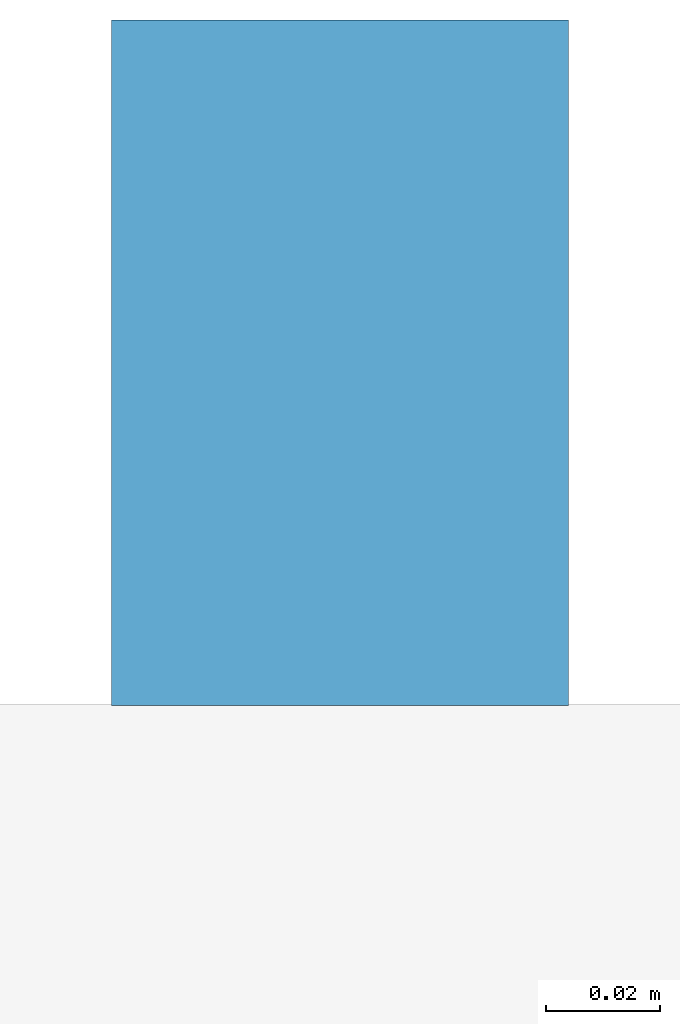
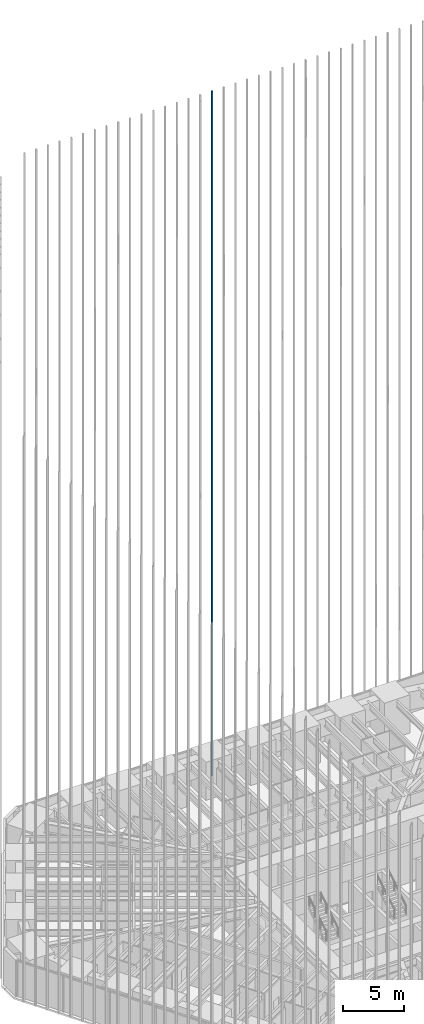
# One storey, part 188 of 256: 1 member, 1 element without a shape of its own.
"""IFC4 building model written with IfcOpenShell, lengths in metres."""

from ifc_helpers import new_model, si_unit, direction, frame, origin, origin_2d, place, context, subcontext, project, spatial, rectangle, extrude, material, material_profile, profile_set, type_object, element, aggregate, save


model = new_model("IFC4")

# Units and contexts
model_context = context("Model", 3, precision=1e-05, world=origin(), true_north=direction((0.0, 1.0)))
body_context = subcontext(model_context, "Body", "Model", "MODEL_VIEW")
ifc_project = project(units=[si_unit("LENGTHUNIT", "METRE"), si_unit("AREAUNIT", "SQUARE_METRE"), si_unit("VOLUMEUNIT", "CUBIC_METRE"), si_unit("PLANEANGLEUNIT", "RADIAN"), si_unit("MASSUNIT", "GRAM", prefix="KILO")], contexts=[model_context])

# Site, building, storey
site_placement = place(None, origin())
site = spatial("IfcSite", under=ifc_project, at=site_placement, CompositionType="ELEMENT")
building_placement = place(site_placement, origin())
building = spatial("IfcBuilding", under=site, at=building_placement, Name="Sandreach Pilgrim Tower", CompositionType="ELEMENT")
storey_placement = place(building_placement, frame((0.0, 0.0, 23.0)))
storey = spatial("IfcBuildingStorey", under=building, at=storey_placement, Name="L04", CompositionType="ELEMENT", Elevation=23.0)

# Curtain wall, member
ifc_material_1 = material(Name="Aluminium framed curtain wall", Category="aluminium")
curtain_wall_type = type_object("IfcCurtainWallType", Name="Hostel tower curtain wall", PredefinedType="NOTDEFINED", material=ifc_material_1)
curtain_wall_placement = place(storey_placement, origin())
curtain_wall = element("IfcCurtainWall", 1, at=curtain_wall_placement, inside=storey, type_object=curtain_wall_type, Name="CW-1 L04 N", PredefinedType="NOTDEFINED")
ifc_material_2 = material(Name="Extruded terracotta on aluminium core", Category="masonry")
ifc_material_profile = material_profile(ifc_material_2, rectangle(XDim=0.080078125, YDim=0.1201171875, at=origin_2d()), Name="TBN 80X120")
ifc_profile_set = profile_set([ifc_material_profile], Name="Extruded terracotta on aluminium core")
member_type = type_object("IfcMemberType", Name="Terracotta baguette north", PredefinedType="USERDEFINED", material=ifc_profile_set)
member_placement = place(storey_placement, frame((-1.1044921875, 24.30859375, 0.0), z_axis=(0.0, 0.0, 1.0), x_axis=(1.0, 0.0, 0.0)))
member = element("IfcMember", 2, at=member_placement, type_object=member_type, Name="Baguette Z1 N17", ObjectType="BAGUETTE", PredefinedType="USERDEFINED", context=body_context, shape_type="SweptSolid", body=[
    extrude(rectangle(XDim=0.080078125, YDim=0.1201171875, at=origin_2d()), origin(), (0.0, 0.0, 1.0), 68.239990234375),
])
aggregate(curtain_wall, [member])

save(model, "model.ifc")
